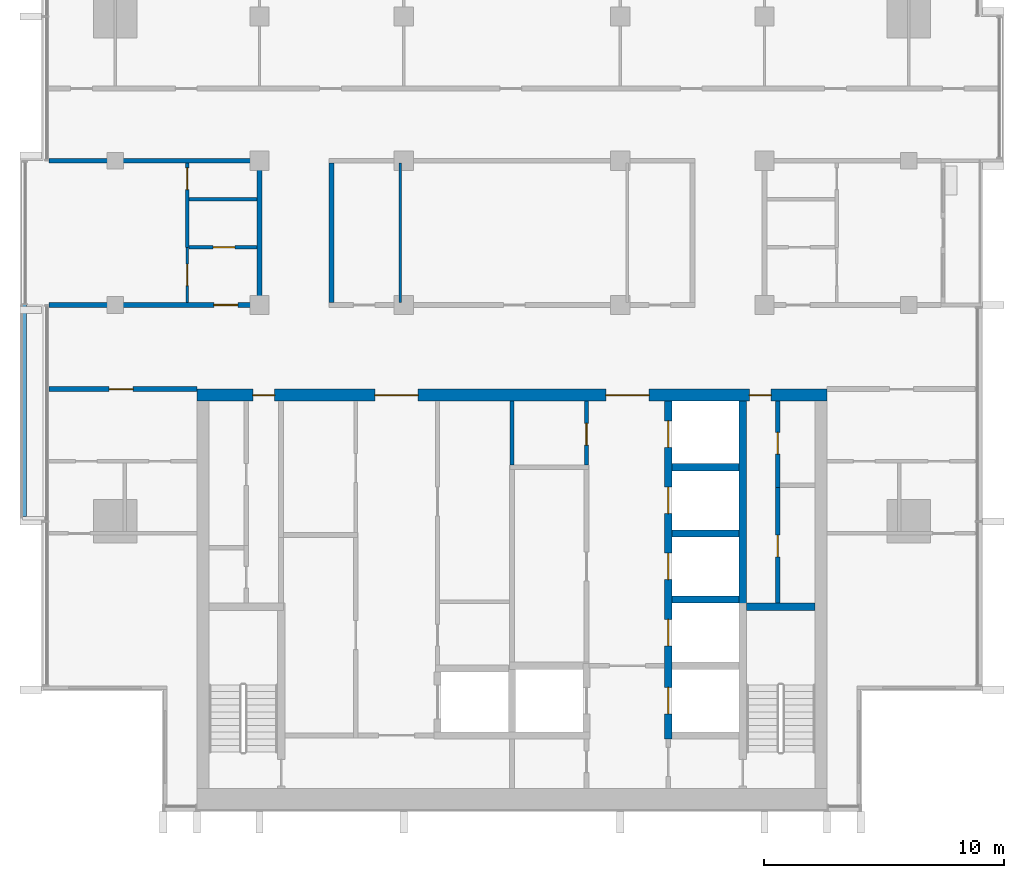
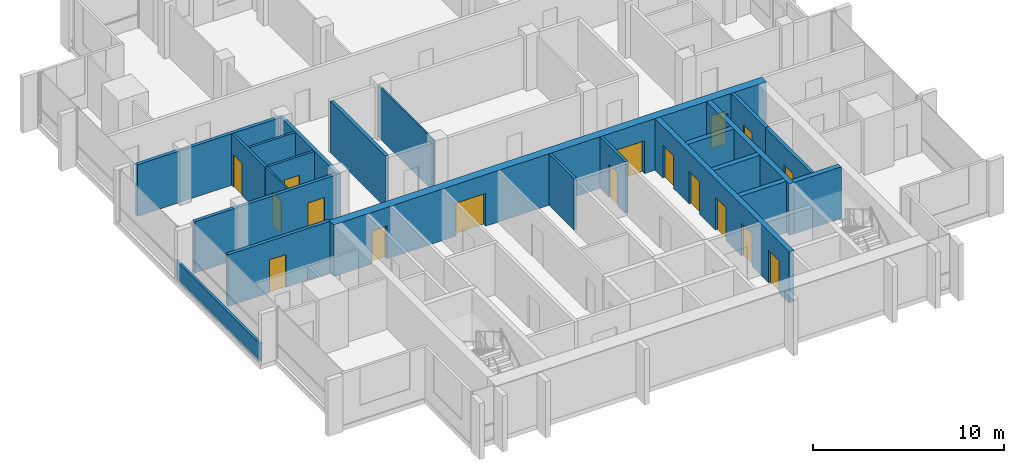
# One storey, part 8 of 15: 22 walls, 17 doors, 17 openings.
"""IFC4 building model written with IfcOpenShell, lengths in metres."""

from ifc_helpers import new_model, si_unit, direction, frame, frame_2d, origin, place, context, subcontext, project, spatial, rectangle, extrude, material, layer, layer_set, type_object, element, fill, save


model = new_model("IFC4")

# Units and contexts
model_context = context("Model", 3, precision=1e-05, world=origin(), true_north=direction((0.0, 1.0)))
body_context = subcontext(model_context, "Body", "Model", "MODEL_VIEW")
ifc_project = project(units=[si_unit("LENGTHUNIT", "METRE"), si_unit("AREAUNIT", "SQUARE_METRE"), si_unit("VOLUMEUNIT", "CUBIC_METRE"), si_unit("PLANEANGLEUNIT", "RADIAN"), si_unit("MASSUNIT", "GRAM", prefix="KILO")], contexts=[model_context])

# Site, building, storey
site_placement = place(None, origin())
site = spatial("IfcSite", under=ifc_project, at=site_placement, CompositionType="ELEMENT")
building_placement = place(site_placement, origin())
building = spatial("IfcBuilding", under=site, at=building_placement, Name="Finial Court Residences", CompositionType="ELEMENT")
storey_placement = place(building_placement, frame((0.0, 0.0, 269.89990234375)))
storey = spatial("IfcBuildingStorey", under=building, at=storey_placement, Name="L68", CompositionType="ELEMENT", Elevation=269.89990234375)

# Wall, openings, doors
ifc_material_1 = material(Name="Concrete C50/60", Category="concrete")
ifc_layer_1 = layer(ifc_material_1, 0.5)
ifc_layer_set_1 = layer_set([ifc_layer_1], Name="Core outer wall 500 Concrete C50/60")
wall_type_1 = type_object("IfcWallType", Name="Core outer wall 500 Concrete C50/60", PredefinedType="SHEAR", material=ifc_layer_set_1)
wall_1_placement = place(storey_placement, frame((-13.10009765625, -8.25, 0.0), z_axis=(0.0, 0.0, 1.0), x_axis=(1.0, 0.0, 0.0)))
wall_1 = element("IfcWall", 1, at=wall_1_placement, inside=storey, type_object=wall_type_1, Name="Core outer wall L68-02", PredefinedType="SHEAR", context=body_context, shape_type="SweptSolid", body=[
    extrude(rectangle(XDim=26.2001953125, YDim=0.5, at=frame_2d((13.10009765625, 0.0))), origin(), (0.0, 0.0, 1.0), 3.300048828125),
])
opening_1_placement = place(wall_1_placement, frame((7.39990234375, 0.0, 0.0)))
opening_1 = element("IfcOpeningElement", 2, at=opening_1_placement, cuts=wall_1, Name="Opening L68-C04", PredefinedType="OPENING", context=body_context, shape_type="SweptSolid", body=[
    extrude(rectangle(XDim=1.800048828125, YDim=2.10009765625, at=frame_2d((0.89990234375, 1.050048828125))), frame((0.0, 0.260009765625, 0.0), z_axis=(0.0, -1.0, 0.0), x_axis=(1.0, 0.0, 0.0)), (0.0, 0.0, 1.0), 0.52001953125),
])
opening_2_placement = place(wall_1_placement, frame((17.0, 0.0, 0.0)))
opening_2 = element("IfcOpeningElement", 3, at=opening_2_placement, cuts=wall_1, Name="Opening L68-C05", PredefinedType="OPENING", context=body_context, shape_type="SweptSolid", body=[
    extrude(rectangle(XDim=1.800048828125, YDim=2.10009765625, at=frame_2d((0.89990234375, 1.050048828125))), frame((0.0, 0.260009765625, 0.0), z_axis=(0.0, -1.0, 0.0), x_axis=(1.0, 0.0, 0.0)), (0.0, 0.0, 1.0), 0.52001953125),
])
opening_3_placement = place(wall_1_placement, frame((2.324951171875, 0.0, 0.0)))
opening_3 = element("IfcOpeningElement", 4, at=opening_3_placement, cuts=wall_1, Name="Opening L68-C11", PredefinedType="OPENING", context=body_context, shape_type="SweptSolid", body=[
    extrude(rectangle(XDim=0.89990234375, YDim=2.10009765625, at=frame_2d((0.449951171875, 1.050048828125))), frame((0.0, 0.260009765625, 0.0), z_axis=(0.0, -1.0, 0.0), x_axis=(1.0, 0.0, 0.0)), (0.0, 0.0, 1.0), 0.52001953125),
])
opening_4_placement = place(wall_1_placement, frame((22.97509765625, 0.0, 0.0)))
opening_4 = element("IfcOpeningElement", 5, at=opening_4_placement, cuts=wall_1, Name="Opening L68-C12", PredefinedType="OPENING", context=body_context, shape_type="SweptSolid", body=[
    extrude(rectangle(XDim=0.89990234375, YDim=2.10009765625, at=frame_2d((0.449951171875, 1.050048828125))), frame((0.0, 0.260009765625, 0.0), z_axis=(0.0, -1.0, 0.0), x_axis=(1.0, 0.0, 0.0)), (0.0, 0.0, 1.0), 0.52001953125),
])
ifc_material_2 = material(Name="Steel fire door", Category="steel")
door_type_1 = type_object("IfcDoorType", Name="Lift lobby door 1800 x 2100 EI 60", OperationType="DOUBLE_DOOR_SINGLE_SWING", PredefinedType="DOOR", material=ifc_material_2)
door_1_placement = place(opening_1_placement, origin())
door_1 = element("IfcDoor", 6, at=door_1_placement, inside=storey, type_object=door_type_1, Name="Lift lobby door L68-C04", OperationType="DOUBLE_DOOR_SINGLE_SWING", OverallHeight=2.10009765625, OverallWidth=1.800048828125, PredefinedType="DOOR", context=body_context, shape_type="SweptSolid", body=[
    extrude(rectangle(XDim=1.800048828125, YDim=2.10009765625, at=frame_2d((0.89990234375, 1.050048828125))), frame((0.0, 0.02490234375, 0.0), z_axis=(0.0, -1.0, 0.0), x_axis=(1.0, 0.0, 0.0)), (0.0, 0.0, 1.0), 0.050048828125),
])
fill(opening_1, door_1)
door_2_placement = place(opening_2_placement, origin())
door_2 = element("IfcDoor", 7, at=door_2_placement, inside=storey, type_object=door_type_1, Name="Lift lobby door L68-C05", OperationType="DOUBLE_DOOR_SINGLE_SWING", OverallHeight=2.10009765625, OverallWidth=1.800048828125, PredefinedType="DOOR", context=body_context, shape_type="SweptSolid", body=[
    extrude(rectangle(XDim=1.800048828125, YDim=2.10009765625, at=frame_2d((0.89990234375, 1.050048828125))), frame((0.0, 0.02490234375, 0.0), z_axis=(0.0, -1.0, 0.0), x_axis=(1.0, 0.0, 0.0)), (0.0, 0.0, 1.0), 0.050048828125),
])
fill(opening_2, door_2)
door_type_2 = type_object("IfcDoorType", Name="Riser room door 900 x 2100 EI 90", OperationType="NOTDEFINED", PredefinedType="DOOR", material=ifc_material_2)
door_3_placement = place(opening_3_placement, origin())
door_3 = element("IfcDoor", 8, at=door_3_placement, inside=storey, type_object=door_type_2, Name="Riser room door L68-C11", OperationType="SINGLE_SWING_RIGHT", OverallHeight=2.10009765625, OverallWidth=0.89990234375, PredefinedType="DOOR", context=body_context, shape_type="SweptSolid", body=[
    extrude(rectangle(XDim=0.89990234375, YDim=2.10009765625, at=frame_2d((0.449951171875, 1.050048828125))), frame((0.0, 0.02490234375, 0.0), z_axis=(0.0, -1.0, 0.0), x_axis=(1.0, 0.0, 0.0)), (0.0, 0.0, 1.0), 0.050048828125),
])
fill(opening_3, door_3)
door_4_placement = place(opening_4_placement, origin())
door_4 = element("IfcDoor", 9, at=door_4_placement, inside=storey, type_object=door_type_2, Name="Riser room door L68-C12", OperationType="SINGLE_SWING_LEFT", OverallHeight=2.10009765625, OverallWidth=0.89990234375, PredefinedType="DOOR", context=body_context, shape_type="SweptSolid", body=[
    extrude(rectangle(XDim=0.89990234375, YDim=2.10009765625, at=frame_2d((0.449951171875, 1.050048828125))), frame((0.0, 0.02490234375, 0.0), z_axis=(0.0, -1.0, 0.0), x_axis=(1.0, 0.0, 0.0)), (0.0, 0.0, 1.0), 0.050048828125),
])
fill(opening_4, door_4)

# Wall
ifc_material_3 = material(Name="Fire-rated gypsum board partition")
ifc_layer_2 = layer(ifc_material_3, 0.14990234375)
ifc_layer_set_2 = layer_set([ifc_layer_2], Name="Core room partition 150 EI 60")
wall_type_2 = type_object("IfcWallType", Name="Core room partition 150 EI 60", PredefinedType="PARTITIONING", material=ifc_layer_set_2)
wall_2_placement = place(storey_placement, frame((0.0, -11.14990234375, 0.0), z_axis=(0.0, 0.0, 1.0), x_axis=(0.0, 1.0, 0.0)))
element("IfcWall", 10, at=wall_2_placement, inside=storey, type_object=wall_type_2, Name="Core partition L68-31", PredefinedType="PARTITIONING", context=body_context, shape_type="SweptSolid", body=[
    extrude(rectangle(XDim=2.64990234375, YDim=0.14990234375, at=frame_2d((1.324951171875, 0.0))), origin(), (0.0, 0.0, 1.0), 3.300048828125),
])

# Wall, opening, door
wall_3_placement = place(storey_placement, frame((3.10009765625, -11.14990234375, 0.0), z_axis=(0.0, 0.0, 1.0), x_axis=(0.0, 1.0, 0.0)))
wall_3 = element("IfcWall", 11, at=wall_3_placement, inside=storey, type_object=wall_type_2, Name="Core partition L68-35", PredefinedType="PARTITIONING", context=body_context, shape_type="SweptSolid", body=[
    extrude(rectangle(XDim=2.64990234375, YDim=0.14990234375, at=frame_2d((1.324951171875, 0.0))), origin(), (0.0, 0.0, 1.0), 3.300048828125),
])
opening_5_placement = place(wall_3_placement, frame((0.824951171875, 0.0, 0.0)))
opening_5 = element("IfcOpeningElement", 12, at=opening_5_placement, cuts=wall_3, Name="Opening L68-C18", PredefinedType="OPENING", context=body_context, shape_type="SweptSolid", body=[
    extrude(rectangle(XDim=0.89990234375, YDim=2.10009765625, at=frame_2d((0.449951171875, 1.050048828125))), frame((0.0, 0.0849609375, 0.0), z_axis=(0.0, -1.0, 0.0), x_axis=(1.0, 0.0, 0.0)), (0.0, 0.0, 1.0), 0.169921875),
])
door_type_3 = type_object("IfcDoorType", Name="Core room door 900 x 2100 EI 60", OperationType="NOTDEFINED", PredefinedType="DOOR", material=ifc_material_2)
door_5_placement = place(opening_5_placement, origin())
door_5 = element("IfcDoor", 13, at=door_5_placement, inside=storey, type_object=door_type_3, Name="Core room door L68-C18", OperationType="SINGLE_SWING_LEFT", OverallHeight=2.10009765625, OverallWidth=0.89990234375, PredefinedType="DOOR", context=body_context, shape_type="SweptSolid", body=[
    extrude(rectangle(XDim=0.89990234375, YDim=2.10009765625, at=frame_2d((0.449951171875, 1.050048828125))), frame((0.0, 0.02490234375, 0.0), z_axis=(0.0, -1.0, 0.0), x_axis=(1.0, 0.0, 0.0)), (0.0, 0.0, 1.0), 0.050048828125),
])
fill(opening_5, door_5)

ifc_material_4 = material(Name="Gypsum board")
ifc_layer_3 = layer(ifc_material_4, 0.02490234375)
ifc_material_5 = material(Name="Acoustic mineral wool in double frame")
ifc_layer_4 = layer(ifc_material_5, 0.14990234375)
ifc_layer_5 = layer(ifc_material_4, 0.02490234375)
ifc_layer_set_3 = layer_set([ifc_layer_3, ifc_layer_4, ifc_layer_5], Name="Corridor wall 200, 1 hour")
wall_type_3 = type_object("IfcWallType", Name="Corridor wall 200, 1 hour", PredefinedType="PARTITIONING", material=ifc_layer_set_3)
wall_4_placement = place(storey_placement, frame((-19.262451171875, -8.0, 0.0), z_axis=(0.0, 0.0, 1.0), x_axis=(1.0, 0.0, 0.0)))
wall_4 = element("IfcWall", 14, at=wall_4_placement, inside=storey, type_object=wall_type_3, Name="Partition L68-004", PredefinedType="PARTITIONING", context=body_context, shape_type="SweptSolid", body=[
    extrude(rectangle(XDim=6.162353515625, YDim=0.199951171875, at=frame_2d((3.0810546875, 0.0))), origin(), (0.0, 0.0, 1.0), 3.300048828125),
])
opening_6_placement = place(wall_4_placement, frame((2.511962890625, 0.0, 0.0)))
opening_6 = element("IfcOpeningElement", 15, at=opening_6_placement, cuts=wall_4, Name="Opening L68-D007", PredefinedType="OPENING", context=body_context, shape_type="SweptSolid", body=[
    extrude(rectangle(XDim=1.0, YDim=2.10009765625, at=frame_2d((0.5, 1.050048828125))), frame((0.0, 0.10986328125, 0.0), z_axis=(0.0, -1.0, 0.0), x_axis=(1.0, 0.0, 0.0)), (0.0, 0.0, 1.0), 0.219970703125),
])
ifc_material_6 = material(Name="Timber door leaf in hollow metal frame", Category="wood")
door_type_4 = type_object("IfcDoorType", Name="Fire door set 1000 x 2100, 30 minutes", OperationType="SINGLE_SWING_LEFT", PredefinedType="DOOR", material=ifc_material_6)
door_6_placement = place(opening_6_placement, origin())
door_6 = element("IfcDoor", 16, at=door_6_placement, inside=storey, type_object=door_type_4, Name="Door L68-D007", OperationType="SINGLE_SWING_LEFT", OverallHeight=2.10009765625, OverallWidth=1.0, PredefinedType="DOOR", context=body_context, shape_type="SweptSolid", body=[
    extrude(rectangle(XDim=1.0, YDim=2.10009765625, at=frame_2d((0.5, 1.050048828125))), frame((0.0, 0.02490234375, 0.0), z_axis=(0.0, -1.0, 0.0), x_axis=(1.0, 0.0, 0.0)), (0.0, 0.0, 1.0), 0.050048828125),
])
fill(opening_6, door_6)

wall_5_placement = place(storey_placement, frame((-19.262451171875, -4.5, 0.0), z_axis=(0.0, 0.0, 1.0), x_axis=(1.0, 0.0, 0.0)))
wall_5 = element("IfcWall", 17, at=wall_5_placement, inside=storey, type_object=wall_type_3, Name="Partition L68-006", PredefinedType="PARTITIONING", context=body_context, shape_type="SweptSolid", body=[
    extrude(rectangle(XDim=8.862548828125, YDim=0.199951171875, at=frame_2d((4.43115234375, 0.0))), origin(), (0.0, 0.0, 1.0), 3.300048828125),
])
opening_7_placement = place(wall_5_placement, frame((6.862060546875, 0.0, 0.0)))
opening_7 = element("IfcOpeningElement", 18, at=opening_7_placement, cuts=wall_5, Name="Opening L68-D009", PredefinedType="OPENING", context=body_context, shape_type="SweptSolid", body=[
    extrude(rectangle(XDim=1.0, YDim=2.10009765625, at=frame_2d((0.5, 1.050048828125))), frame((0.0, 0.10986328125, 0.0), z_axis=(0.0, -1.0, 0.0), x_axis=(1.0, 0.0, 0.0)), (0.0, 0.0, 1.0), 0.219970703125),
])
door_7_placement = place(opening_7_placement, origin())
door_7 = element("IfcDoor", 19, at=door_7_placement, inside=storey, type_object=door_type_4, Name="Door L68-D009", OperationType="SINGLE_SWING_LEFT", OverallHeight=2.10009765625, OverallWidth=1.0, PredefinedType="DOOR", context=body_context, shape_type="SweptSolid", body=[
    extrude(rectangle(XDim=1.0, YDim=2.10009765625, at=frame_2d((0.5, 1.050048828125))), frame((0.0, 0.02490234375, 0.0), z_axis=(0.0, -1.0, 0.0), x_axis=(1.0, 0.0, 0.0)), (0.0, 0.0, 1.0), 0.050048828125),
])
fill(opening_7, door_7)

# Walls
wall_6_placement = place(storey_placement, frame((-19.262451171875, 1.5, 0.0), z_axis=(0.0, 0.0, 1.0), x_axis=(1.0, 0.0, 0.0)))
element("IfcWall", 20, at=wall_6_placement, inside=storey, type_object=wall_type_3, Name="Partition L68-013", PredefinedType="PARTITIONING", context=body_context, shape_type="SweptSolid", body=[
    extrude(rectangle(XDim=8.862548828125, YDim=0.199951171875, at=frame_2d((4.43115234375, 0.0))), origin(), (0.0, 0.0, 1.0), 3.300048828125),
])
for number, where, z_axis, x_axis, name in (
    (21, (-10.5, -4.39990234375, 0.0), (0.0, 0.0, 1.0), (0.0, 1.0, 0.0), "Partition L68-021"),
    (22, (-7.5, -4.39990234375, 0.0), (0.0, 0.0, 1.0), (0.0, 1.0, 0.0), "Partition L68-023"),
):
    element("IfcWall", number, at=place(storey_placement, frame(where, z_axis=z_axis, x_axis=x_axis)), inside=storey, type_object=wall_type_3, Name=name, PredefinedType="PARTITIONING", context=body_context, shape_type="SweptSolid", body=[
        extrude(rectangle(XDim=5.7998046875, YDim=0.199951171875, at=frame_2d((2.89990234375, 0.0))), origin(), (0.0, 0.0, 1.0), 3.300048828125),
    ])

# Wall, opening, door
ifc_layer_6 = layer(ifc_material_4, 0.012451171875)
ifc_material_7 = material(Name="Mineral wool in light-gauge frame")
ifc_layer_7 = layer(ifc_material_7, 0.074951171875)
ifc_layer_8 = layer(ifc_material_4, 0.012451171875)
ifc_layer_set_4 = layer_set([ifc_layer_6, ifc_layer_7, ifc_layer_8], Name="Gypsum board partition 100")
wall_type_4 = type_object("IfcWallType", Name="Gypsum board partition 100", PredefinedType="PARTITIONING", material=ifc_layer_set_4)
wall_7_placement = place(storey_placement, frame((-13.5, -4.39990234375, 0.0), z_axis=(0.0, 0.0, 1.0), x_axis=(0.0, 1.0, 0.0)))
wall_7 = element("IfcWall", 23, at=wall_7_placement, inside=storey, type_object=wall_type_4, Name="Partition L68-019", PredefinedType="PARTITIONING", context=body_context, shape_type="SweptSolid", body=[
    extrude(rectangle(XDim=2.2998046875, YDim=0.10009765625, at=frame_2d((1.14990234375, 0.0))), origin(), (0.0, 0.0, 1.0), 3.300048828125),
])
opening_8_placement = place(wall_7_placement, frame((0.699951171875, 0.0, 0.0)))
opening_8 = element("IfcOpeningElement", 24, at=opening_8_placement, cuts=wall_7, Name="Opening L68-D023", PredefinedType="OPENING", context=body_context, shape_type="SweptSolid", body=[
    extrude(rectangle(XDim=0.89990234375, YDim=2.10009765625, at=frame_2d((0.449951171875, 1.050048828125))), frame((0.0, 0.06005859375, 0.0), z_axis=(0.0, -1.0, 0.0), x_axis=(1.0, 0.0, 0.0)), (0.0, 0.0, 1.0), 0.1201171875),
])
ifc_material_8 = material(Name="Timber door leaf in timber frame", Category="wood")
door_type_5 = type_object("IfcDoorType", Name="Door set 900 x 2100", OperationType="SINGLE_SWING_LEFT", PredefinedType="DOOR", material=ifc_material_8)
door_8_placement = place(opening_8_placement, origin())
door_8 = element("IfcDoor", 25, at=door_8_placement, inside=storey, type_object=door_type_5, Name="Door L68-D023", OperationType="SINGLE_SWING_RIGHT", OverallHeight=2.10009765625, OverallWidth=0.89990234375, PredefinedType="DOOR", context=body_context, shape_type="SweptSolid", body=[
    extrude(rectangle(XDim=0.89990234375, YDim=2.10009765625, at=frame_2d((0.449951171875, 1.050048828125))), frame((0.0, 0.02490234375, 0.0), z_axis=(0.0, -1.0, 0.0), x_axis=(1.0, 0.0, 0.0)), (0.0, 0.0, 1.0), 0.050048828125),
])
fill(opening_8, door_8)

# Wall
wall_8_placement = place(storey_placement, frame((-4.64990234375, -4.39990234375, 0.0), z_axis=(0.0, 0.0, 1.0), x_axis=(0.0, 1.0, 0.0)))
element("IfcWall", 26, at=wall_8_placement, inside=storey, type_object=wall_type_4, Name="Partition L68-024", PredefinedType="PARTITIONING", context=body_context, shape_type="SweptSolid", body=[
    extrude(rectangle(XDim=5.7998046875, YDim=0.10009765625, at=frame_2d((2.89990234375, 0.0))), origin(), (0.0, 0.0, 1.0), 3.300048828125),
])

# Wall, opening, door
ifc_material_9 = material(Name="Moisture-resistant gypsum board")
ifc_layer_9 = layer(ifc_material_9, 0.012451171875)
ifc_layer_10 = layer(ifc_material_7, 0.125)
ifc_layer_11 = layer(ifc_material_9, 0.012451171875)
ifc_layer_set_5 = layer_set([ifc_layer_9, ifc_layer_10, ifc_layer_11], Name="Gypsum board wet-area partition 150")
wall_type_5 = type_object("IfcWallType", Name="Gypsum board wet-area partition 150", PredefinedType="PARTITIONING", material=ifc_layer_set_5)
wall_9_placement = place(storey_placement, frame((-13.425048828125, -2.10009765625, 0.0), z_axis=(0.0, 0.0, 1.0), x_axis=(1.0, 0.0, 0.0)))
wall_9 = element("IfcWall", 27, at=wall_9_placement, inside=storey, type_object=wall_type_5, Name="Partition L68-009", PredefinedType="PARTITIONING", context=body_context, shape_type="SweptSolid", body=[
    extrude(rectangle(XDim=2.824951171875, YDim=0.14990234375, at=frame_2d((1.41259765625, 0.0))), origin(), (0.0, 0.0, 1.0), 3.300048828125),
])
opening_9_placement = place(wall_9_placement, frame((1.0, 0.0, 0.0)))
opening_9 = element("IfcOpeningElement", 28, at=opening_9_placement, cuts=wall_9, Name="Opening L68-D014", PredefinedType="OPENING", context=body_context, shape_type="SweptSolid", body=[
    extrude(rectangle(XDim=0.89990234375, YDim=2.10009765625, at=frame_2d((0.449951171875, 1.050048828125))), frame((0.0, 0.0849609375, 0.0), z_axis=(0.0, -1.0, 0.0), x_axis=(1.0, 0.0, 0.0)), (0.0, 0.0, 1.0), 0.169921875),
])
door_9_placement = place(opening_9_placement, origin())
door_9 = element("IfcDoor", 29, at=door_9_placement, inside=storey, type_object=door_type_5, Name="Door L68-D014", OperationType="SINGLE_SWING_RIGHT", OverallHeight=2.10009765625, OverallWidth=0.89990234375, PredefinedType="DOOR", context=body_context, shape_type="SweptSolid", body=[
    extrude(rectangle(XDim=0.89990234375, YDim=2.10009765625, at=frame_2d((0.449951171875, 1.050048828125))), frame((0.0, 0.02490234375, 0.0), z_axis=(0.0, -1.0, 0.0), x_axis=(1.0, 0.0, 0.0)), (0.0, 0.0, 1.0), 0.050048828125),
])
fill(opening_9, door_9)

# Wall
wall_10_placement = place(storey_placement, frame((-13.425048828125, -0.10009765625, 0.0), z_axis=(0.0, 0.0, 1.0), x_axis=(1.0, 0.0, 0.0)))
element("IfcWall", 30, at=wall_10_placement, inside=storey, type_object=wall_type_5, Name="Partition L68-011", PredefinedType="PARTITIONING", context=body_context, shape_type="SweptSolid", body=[
    extrude(rectangle(XDim=2.824951171875, YDim=0.14990234375, at=frame_2d((1.41259765625, 0.0))), origin(), (0.0, 0.0, 1.0), 3.300048828125),
])

# Wall, opening, door
wall_11_placement = place(storey_placement, frame((-13.5, -2.10009765625, 0.0), z_axis=(0.0, 0.0, 1.0), x_axis=(0.0, 1.0, 0.0)))
wall_11 = element("IfcWall", 31, at=wall_11_placement, inside=storey, type_object=wall_type_5, Name="Partition L68-020", PredefinedType="PARTITIONING", context=body_context, shape_type="SweptSolid", body=[
    extrude(rectangle(XDim=3.5, YDim=0.14990234375, at=frame_2d((1.75, 0.0))), origin(), (0.0, 0.0, 1.0), 3.300048828125),
])
opening_10_placement = place(wall_11_placement, frame((2.39990234375, 0.0, 0.0)))
opening_10 = element("IfcOpeningElement", 32, at=opening_10_placement, cuts=wall_11, Name="Opening L68-D024", PredefinedType="OPENING", context=body_context, shape_type="SweptSolid", body=[
    extrude(rectangle(XDim=0.89990234375, YDim=2.10009765625, at=frame_2d((0.449951171875, 1.050048828125))), frame((0.0, 0.0849609375, 0.0), z_axis=(0.0, -1.0, 0.0), x_axis=(1.0, 0.0, 0.0)), (0.0, 0.0, 1.0), 0.169921875),
])
door_10_placement = place(opening_10_placement, origin())
door_10 = element("IfcDoor", 33, at=door_10_placement, inside=storey, type_object=door_type_5, Name="Door L68-D024", OperationType="SINGLE_SWING_RIGHT", OverallHeight=2.10009765625, OverallWidth=0.89990234375, PredefinedType="DOOR", context=body_context, shape_type="SweptSolid", body=[
    extrude(rectangle(XDim=0.89990234375, YDim=2.10009765625, at=frame_2d((0.449951171875, 1.050048828125))), frame((0.0, 0.02490234375, 0.0), z_axis=(0.0, -1.0, 0.0), x_axis=(1.0, 0.0, 0.0)), (0.0, 0.0, 1.0), 0.050048828125),
])
fill(opening_10, door_10)

# Walls
ifc_material_10 = material(Name="Concrete C35/45", Category="concrete")
ifc_layer_12 = layer(ifc_material_10, 0.14990234375)
ifc_layer_set_6 = layer_set([ifc_layer_12], Name="Ledge parapet, Concrete C35/45 150")
wall_type_6 = type_object("IfcWallType", Name="Ledge parapet, Concrete C35/45 150", PredefinedType="PARAPET", material=ifc_layer_set_6)
wall_12_placement = place(storey_placement, frame((-20.27490234375, -13.300048828125, 0.0), z_axis=(0.0, 0.0, 1.0), x_axis=(0.0, 1.0, 0.0)))
element("IfcWall", 34, at=wall_12_placement, inside=storey, type_object=wall_type_6, Name="E-L68-LED2-P2", PredefinedType="PARAPET", context=body_context, shape_type="SweptSolid", body=[
    extrude(rectangle(XDim=8.8525390625, YDim=0.14990234375, at=frame_2d((4.42626953125, 0.0))), origin(), (0.0, 0.0, 1.0), 1.150146484375),
])
ifc_layer_13 = layer(ifc_material_1, 0.300048828125)
ifc_layer_set_7 = layer_set([ifc_layer_13], Name="Lift shaft and stair wall 300 Concrete C50/60")
wall_type_7 = type_object("IfcWallType", Name="Lift shaft and stair wall 300 Concrete C50/60", PredefinedType="SHEAR", material=ifc_layer_set_7)
wall_13_placement = place(storey_placement, frame((9.75, -17.050048828125, 0.0), z_axis=(0.0, 0.0, 1.0), x_axis=(1.0, 0.0, 0.0)))
element("IfcWall", 35, at=wall_13_placement, inside=storey, type_object=wall_type_7, Name="Core wall L68-10", PredefinedType="SHEAR", context=body_context, shape_type="SweptSolid", body=[
    extrude(rectangle(XDim=2.85009765625, YDim=0.300048828125, at=frame_2d((1.425048828125, 0.0))), origin(), (0.0, 0.0, 1.0), 3.300048828125),
])
for number, where, z_axis, x_axis, name in (
    (36, (6.64990234375, -16.75, 0.0), (0.0, 0.0, 1.0), (1.0, 0.0, 0.0), "Core wall L68-12"),
    (37, (6.64990234375, -14.0, 0.0), (0.0, 0.0, 1.0), (1.0, 0.0, 0.0), "Core wall L68-15"),
    (38, (6.64990234375, -11.25, 0.0), (0.0, 0.0, 1.0), (1.0, 0.0, 0.0), "Core wall L68-18"),
):
    element("IfcWall", number, at=place(storey_placement, frame(where, z_axis=z_axis, x_axis=x_axis)), inside=storey, type_object=wall_type_7, Name=name, PredefinedType="SHEAR", context=body_context, shape_type="SweptSolid", body=[
        extrude(rectangle(XDim=2.800048828125, YDim=0.300048828125, at=frame_2d((1.39990234375, 0.0))), origin(), (0.0, 0.0, 1.0), 3.300048828125),
    ])

# Wall, openings, doors
wall_14_placement = place(storey_placement, frame((6.5, -22.550048828125, 0.0), z_axis=(0.0, 0.0, 1.0), x_axis=(0.0, 1.0, 0.0)))
wall_14 = element("IfcWall", 39, at=wall_14_placement, inside=storey, type_object=wall_type_7, Name="Core wall L68-37", PredefinedType="SHEAR", context=body_context, shape_type="SweptSolid", body=[
    extrude(rectangle(XDim=14.050048828125, YDim=0.300048828125, at=frame_2d((7.02490234375, 0.0))), origin(), (0.0, 0.0, 1.0), 3.300048828125),
])
opening_11_placement = place(wall_14_placement, frame((1.050048828125, 0.0, 0.0)))
opening_11 = element("IfcOpeningElement", 40, at=opening_11_placement, cuts=wall_14, Name="Opening L68-LD02", PredefinedType="OPENING", context=body_context, shape_type="SweptSolid", body=[
    extrude(rectangle(XDim=1.10009765625, YDim=2.10009765625, at=frame_2d((0.550048828125, 1.050048828125))), frame((0.0, 0.159912109375, 0.0), z_axis=(0.0, -1.0, 0.0), x_axis=(1.0, 0.0, 0.0)), (0.0, 0.0, 1.0), 0.320068359375),
])
opening_12_placement = place(wall_14_placement, frame((3.875, 0.0, 0.0)))
opening_12 = element("IfcOpeningElement", 41, at=opening_12_placement, cuts=wall_14, Name="Opening L68-LD03", PredefinedType="OPENING", context=body_context, shape_type="SweptSolid", body=[
    extrude(rectangle(XDim=1.10009765625, YDim=2.10009765625, at=frame_2d((0.550048828125, 1.050048828125))), frame((0.0, 0.159912109375, 0.0), z_axis=(0.0, -1.0, 0.0), x_axis=(1.0, 0.0, 0.0)), (0.0, 0.0, 1.0), 0.320068359375),
])
opening_13_placement = place(wall_14_placement, frame((6.625, 0.0, 0.0)))
opening_13 = element("IfcOpeningElement", 42, at=opening_13_placement, cuts=wall_14, Name="Opening L68-LD04", PredefinedType="OPENING", context=body_context, shape_type="SweptSolid", body=[
    extrude(rectangle(XDim=1.10009765625, YDim=2.10009765625, at=frame_2d((0.550048828125, 1.050048828125))), frame((0.0, 0.159912109375, 0.0), z_axis=(0.0, -1.0, 0.0), x_axis=(1.0, 0.0, 0.0)), (0.0, 0.0, 1.0), 0.320068359375),
])
opening_14_placement = place(wall_14_placement, frame((9.375, 0.0, 0.0)))
opening_14 = element("IfcOpeningElement", 43, at=opening_14_placement, cuts=wall_14, Name="Opening L68-LD05", PredefinedType="OPENING", context=body_context, shape_type="SweptSolid", body=[
    extrude(rectangle(XDim=1.10009765625, YDim=2.10009765625, at=frame_2d((0.550048828125, 1.050048828125))), frame((0.0, 0.159912109375, 0.0), z_axis=(0.0, -1.0, 0.0), x_axis=(1.0, 0.0, 0.0)), (0.0, 0.0, 1.0), 0.320068359375),
])
opening_15_placement = place(wall_14_placement, frame((12.125, 0.0, 0.0)))
opening_15 = element("IfcOpeningElement", 44, at=opening_15_placement, cuts=wall_14, Name="Opening L68-LD06", PredefinedType="OPENING", context=body_context, shape_type="SweptSolid", body=[
    extrude(rectangle(XDim=1.10009765625, YDim=2.10009765625, at=frame_2d((0.550048828125, 1.050048828125))), frame((0.0, 0.159912109375, 0.0), z_axis=(0.0, -1.0, 0.0), x_axis=(1.0, 0.0, 0.0)), (0.0, 0.0, 1.0), 0.320068359375),
])
ifc_material_11 = material(Name="Stainless steel lift door", Category="steel")
door_type_6 = type_object("IfcDoorType", Name="Lift landing door 1100 x 2100 EI 90", OperationType="DOUBLE_DOOR_SLIDING", PredefinedType="DOOR", material=ifc_material_11)
door_11_placement = place(opening_11_placement, origin())
door_11 = element("IfcDoor", 45, at=door_11_placement, inside=storey, type_object=door_type_6, Name="Lift landing door FF2 L68", OperationType="DOUBLE_DOOR_SLIDING", OverallHeight=2.10009765625, OverallWidth=1.10009765625, PredefinedType="DOOR", context=body_context, shape_type="SweptSolid", body=[
    extrude(rectangle(XDim=1.10009765625, YDim=2.10009765625, at=frame_2d((0.550048828125, 1.050048828125))), frame((0.0, 0.02490234375, 0.0), z_axis=(0.0, -1.0, 0.0), x_axis=(1.0, 0.0, 0.0)), (0.0, 0.0, 1.0), 0.050048828125),
])
fill(opening_11, door_11)
door_12_placement = place(opening_12_placement, origin())
door_12 = element("IfcDoor", 46, at=door_12_placement, inside=storey, type_object=door_type_6, Name="Lift landing door HR5 L68", OperationType="DOUBLE_DOOR_SLIDING", OverallHeight=2.10009765625, OverallWidth=1.10009765625, PredefinedType="DOOR", context=body_context, shape_type="SweptSolid", body=[
    extrude(rectangle(XDim=1.10009765625, YDim=2.10009765625, at=frame_2d((0.550048828125, 1.050048828125))), frame((0.0, 0.02490234375, 0.0), z_axis=(0.0, -1.0, 0.0), x_axis=(1.0, 0.0, 0.0)), (0.0, 0.0, 1.0), 0.050048828125),
])
fill(opening_12, door_12)
door_13_placement = place(opening_13_placement, origin())
door_13 = element("IfcDoor", 47, at=door_13_placement, inside=storey, type_object=door_type_6, Name="Lift landing door HR6 L68", OperationType="DOUBLE_DOOR_SLIDING", OverallHeight=2.10009765625, OverallWidth=1.10009765625, PredefinedType="DOOR", context=body_context, shape_type="SweptSolid", body=[
    extrude(rectangle(XDim=1.10009765625, YDim=2.10009765625, at=frame_2d((0.550048828125, 1.050048828125))), frame((0.0, 0.02490234375, 0.0), z_axis=(0.0, -1.0, 0.0), x_axis=(1.0, 0.0, 0.0)), (0.0, 0.0, 1.0), 0.050048828125),
])
fill(opening_13, door_13)
door_14_placement = place(opening_14_placement, origin())
door_14 = element("IfcDoor", 48, at=door_14_placement, inside=storey, type_object=door_type_6, Name="Lift landing door HR7 L68", OperationType="DOUBLE_DOOR_SLIDING", OverallHeight=2.10009765625, OverallWidth=1.10009765625, PredefinedType="DOOR", context=body_context, shape_type="SweptSolid", body=[
    extrude(rectangle(XDim=1.10009765625, YDim=2.10009765625, at=frame_2d((0.550048828125, 1.050048828125))), frame((0.0, 0.02490234375, 0.0), z_axis=(0.0, -1.0, 0.0), x_axis=(1.0, 0.0, 0.0)), (0.0, 0.0, 1.0), 0.050048828125),
])
fill(opening_14, door_14)
door_15_placement = place(opening_15_placement, origin())
door_15 = element("IfcDoor", 49, at=door_15_placement, inside=storey, type_object=door_type_6, Name="Lift landing door HR8 L68", OperationType="DOUBLE_DOOR_SLIDING", OverallHeight=2.10009765625, OverallWidth=1.10009765625, PredefinedType="DOOR", context=body_context, shape_type="SweptSolid", body=[
    extrude(rectangle(XDim=1.10009765625, YDim=2.10009765625, at=frame_2d((0.550048828125, 1.050048828125))), frame((0.0, 0.02490234375, 0.0), z_axis=(0.0, -1.0, 0.0), x_axis=(1.0, 0.0, 0.0)), (0.0, 0.0, 1.0), 0.050048828125),
])
fill(opening_15, door_15)

# Wall
wall_15_placement = place(storey_placement, frame((9.60009765625, -17.199951171875, 0.0), z_axis=(0.0, 0.0, 1.0), x_axis=(0.0, 1.0, 0.0)))
element("IfcWall", 50, at=wall_15_placement, inside=storey, type_object=wall_type_7, Name="Core wall L68-39", PredefinedType="SHEAR", context=body_context, shape_type="SweptSolid", body=[
    extrude(rectangle(XDim=8.699951171875, YDim=0.300048828125, at=frame_2d((4.35009765625, 0.0))), origin(), (0.0, 0.0, 1.0), 3.300048828125),
])

# Wall, opening, door
ifc_layer_14 = layer(ifc_material_3, 0.199951171875)
ifc_layer_set_8 = layer_set([ifc_layer_14], Name="Riser room wall 200 EI 120")
wall_type_8 = type_object("IfcWallType", Name="Riser room wall 200 EI 120", PredefinedType="PARTITIONING", material=ifc_layer_set_8)
wall_16_placement = place(storey_placement, frame((11.050048828125, -8.5, 0.0), z_axis=(0.0, 0.0, 1.0), x_axis=(0.0, -1.0, 0.0)))
wall_16 = element("IfcWall", 51, at=wall_16_placement, inside=storey, type_object=wall_type_8, Name="Core partition L68-41", PredefinedType="PARTITIONING", context=body_context, shape_type="SweptSolid", body=[
    extrude(rectangle(XDim=3.60009765625, YDim=0.199951171875, at=frame_2d((1.800048828125, 0.0))), origin(), (0.0, 0.0, 1.0), 3.300048828125),
])
opening_16_placement = place(wall_16_placement, frame((1.300048828125, 0.0, 0.0)))
opening_16 = element("IfcOpeningElement", 52, at=opening_16_placement, cuts=wall_16, Name="Opening L68-C08", PredefinedType="OPENING", context=body_context, shape_type="SweptSolid", body=[
    extrude(rectangle(XDim=0.89990234375, YDim=2.10009765625, at=frame_2d((0.449951171875, 1.050048828125))), frame((0.0, 0.10986328125, 0.0), z_axis=(0.0, -1.0, 0.0), x_axis=(1.0, 0.0, 0.0)), (0.0, 0.0, 1.0), 0.219970703125),
])
door_16_placement = place(opening_16_placement, origin())
door_16 = element("IfcDoor", 53, at=door_16_placement, inside=storey, type_object=door_type_2, Name="Riser room door L68-C08", OperationType="SINGLE_SWING_RIGHT", OverallHeight=2.10009765625, OverallWidth=0.89990234375, PredefinedType="DOOR", context=body_context, shape_type="SweptSolid", body=[
    extrude(rectangle(XDim=0.89990234375, YDim=2.10009765625, at=frame_2d((0.449951171875, 1.050048828125))), frame((0.0, 0.02490234375, 0.0), z_axis=(0.0, -1.0, 0.0), x_axis=(1.0, 0.0, 0.0)), (0.0, 0.0, 1.0), 0.050048828125),
])
fill(opening_16, door_16)

ifc_layer_15 = layer(ifc_material_3, 0.199951171875)
ifc_layer_set_9 = layer_set([ifc_layer_15], Name="Stair passage wall 200 EI 180")
wall_type_9 = type_object("IfcWallType", Name="Stair passage wall 200 EI 180", PredefinedType="PARTITIONING", material=ifc_layer_set_9)
wall_17_placement = place(storey_placement, frame((11.050048828125, -11.89990234375, 0.0), z_axis=(0.0, 0.0, 1.0), x_axis=(0.0, -1.0, 0.0)))
wall_17 = element("IfcWall", 54, at=wall_17_placement, inside=storey, type_object=wall_type_9, Name="Core partition L68-40", PredefinedType="PARTITIONING", context=body_context, shape_type="SweptSolid", body=[
    extrude(rectangle(XDim=5.0, YDim=0.199951171875, at=frame_2d((2.5, 0.0))), origin(), (0.0, 0.0, 1.0), 3.300048828125),
])
opening_17_placement = place(wall_17_placement, frame((2.175048828125, 0.0, 0.0)))
opening_17 = element("IfcOpeningElement", 55, at=opening_17_placement, cuts=wall_17, Name="Opening L68-C14", PredefinedType="OPENING", context=body_context, shape_type="SweptSolid", body=[
    extrude(rectangle(XDim=0.89990234375, YDim=2.10009765625, at=frame_2d((0.449951171875, 1.050048828125))), frame((0.0, 0.10986328125, 0.0), z_axis=(0.0, -1.0, 0.0), x_axis=(1.0, 0.0, 0.0)), (0.0, 0.0, 1.0), 0.219970703125),
])
door_17_placement = place(opening_17_placement, origin())
door_17 = element("IfcDoor", 56, at=door_17_placement, inside=storey, type_object=door_type_3, Name="Core room door L68-C14", OperationType="SINGLE_SWING_RIGHT", OverallHeight=2.10009765625, OverallWidth=0.89990234375, PredefinedType="DOOR", context=body_context, shape_type="SweptSolid", body=[
    extrude(rectangle(XDim=0.89990234375, YDim=2.10009765625, at=frame_2d((0.449951171875, 1.050048828125))), frame((0.0, 0.02490234375, 0.0), z_axis=(0.0, -1.0, 0.0), x_axis=(1.0, 0.0, 0.0)), (0.0, 0.0, 1.0), 0.050048828125),
])
fill(opening_17, door_17)

save(model, "model.ifc")
